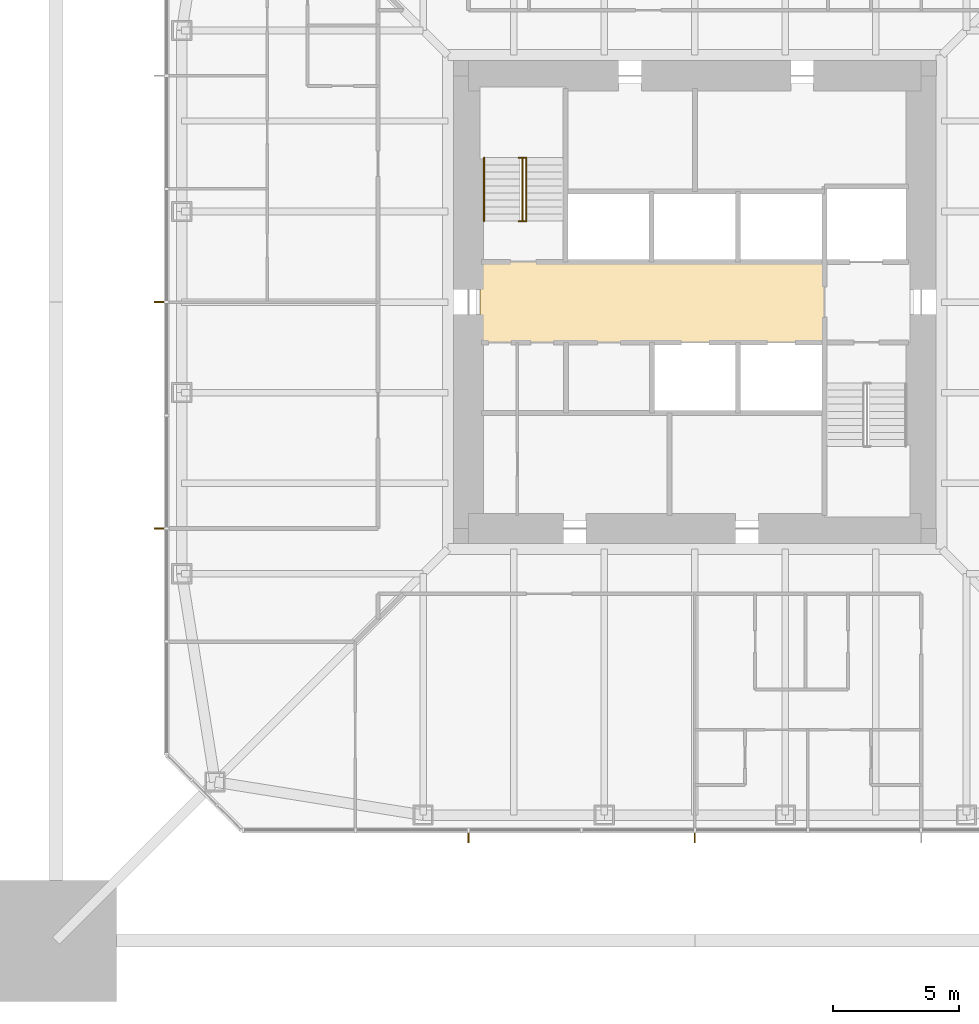
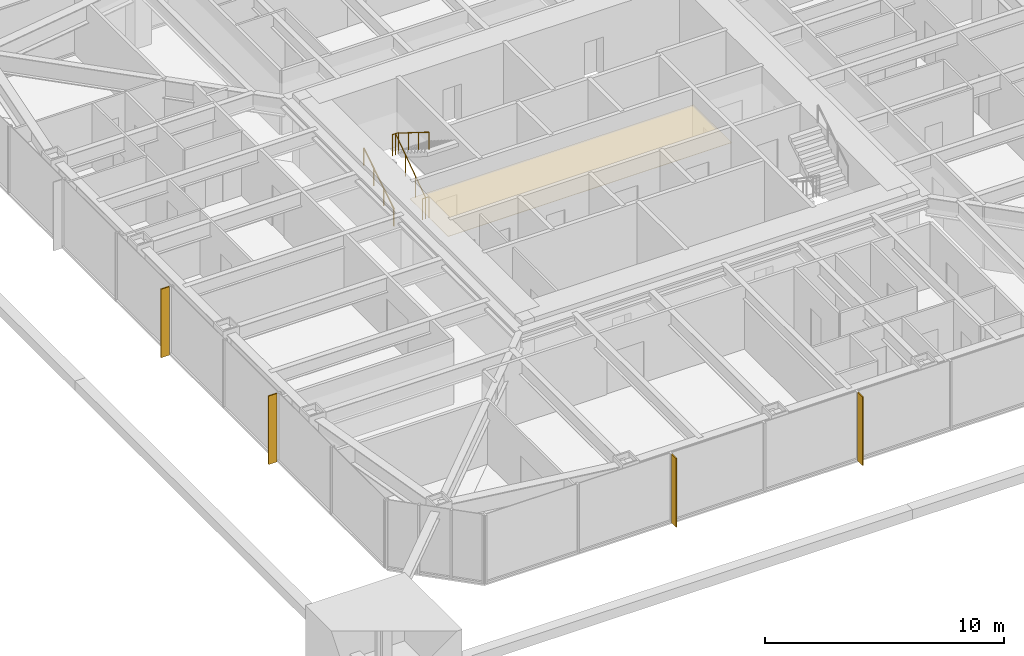
# One storey, part 22 of 26: 4 shading devices, 3 railings, 1 covering.
"""IFC4 building model written with IfcOpenShell, lengths in metres."""

from ifc_helpers import new_model, si_unit, direction, frame, origin, origin_2d, place, context, subcontext, project, spatial, polyline, rectangle, circle, outline, extrude, material, layer, layer_set, constituent, constituent_set, type_object, element, save


model = new_model("IFC4")

# Units and contexts
model_context = context("Model", 3, precision=1e-05, world=origin(), true_north=direction((0.0, 1.0)))
body_context = subcontext(model_context, "Body", "Model", "MODEL_VIEW")
ifc_project = project(units=[si_unit("LENGTHUNIT", "METRE"), si_unit("AREAUNIT", "SQUARE_METRE"), si_unit("VOLUMEUNIT", "CUBIC_METRE"), si_unit("PLANEANGLEUNIT", "RADIAN"), si_unit("MASSUNIT", "GRAM", prefix="KILO")], contexts=[model_context])

# Site, building, storey
site_placement = place(None, origin())
site = spatial("IfcSite", under=ifc_project, at=site_placement, CompositionType="ELEMENT")
building_placement = place(site_placement, origin())
building = spatial("IfcBuilding", under=site, at=building_placement, Name="Iwan Alto Co-Living Towers", CompositionType="ELEMENT")
storey_placement = place(building_placement, frame((0.0, 0.0, 126.0)))
storey = spatial("IfcBuildingStorey", under=building, at=storey_placement, Name="L34", CompositionType="ELEMENT", Elevation=126.0)

# Covering
ifc_material_1 = material(Name="Mineral fibre acoustic tiles on steel grid", Category="steel")
ifc_layer_1 = layer(ifc_material_1, 0.02001953125)
ifc_layer_set_1 = layer_set([ifc_layer_1], Name="ACOUSTIC TILE CEILING 20")
covering_type = type_object("IfcCoveringType", Name="ACOUSTIC TILE CEILING 20", PredefinedType="CEILING", material=ifc_layer_set_1)
covering_placement = place(storey_placement, frame((0.0, 0.0, 2.60009765625)))
element("IfcCovering", 1, at=covering_placement, inside=storey, type_object=covering_type, Name="Ceiling Lift lobby L34", PredefinedType="CEILING", context=body_context, shape_type="SweptSolid", body=[
    extrude(outline(polyline([(-8.550048828125, -1.60009765625), (-8.550048828125, 1.60009765625), (5.14990234375, 1.60009765625), (5.14990234375, -1.60009765625), (-8.550048828125, -1.60009765625)])), origin(), (0.0, 0.0, 1.0), 0.02001953125),
])

# Shading devices
ifc_material_2 = material(Name="Aluminium 6063-T6 bronze anodised", Category="aluminium")
ifc_layer_2 = layer(ifc_material_2, 0.050048828125)
ifc_layer_set_2 = layer_set([ifc_layer_2], Name="BRONZE FIN 50X400")
shading_device_type = type_object("IfcShadingDeviceType", Name="BRONZE FIN 50X400", PredefinedType="USERDEFINED", material=ifc_layer_set_2)
for number, where, z_axis, x_axis, name in (
    (2, (-9.0, -21.300048828125, 0.0), (0.0, 0.0, 1.0), (1.0, 0.0, 0.0), "Bronze fin L34"),
    (3, (0.0, -21.300048828125, 0.0), (0.0, 0.0, 1.0), (1.0, 0.0, 0.0), "Bronze fin L34"),
    (4, (-21.300048828125, 0.0, 0.0), (0.0, 0.0, 1.0), (0.0, -1.0, 0.0), "Bronze fin L34"),
    (5, (-21.300048828125, -9.0, 0.0), (0.0, 0.0, 1.0), (0.0, -1.0, 0.0), "Bronze fin L34"),
):
    element("IfcShadingDevice", number, at=place(storey_placement, frame(where, z_axis=z_axis, x_axis=x_axis)), inside=storey, type_object=shading_device_type, Name=name, ObjectType="LOUVER", PredefinedType="USERDEFINED", context=body_context, shape_type="SweptSolid", body=[
        extrude(rectangle(XDim=0.050048828125, YDim=0.39990234375, at=origin_2d()), origin(), (0.0, 0.0, 1.0), 3.5),
    ])

# Railings
ifc_material_3 = material(Name="Steel ASTM A500 Gr C", Category="steel")
ifc_constituent_1 = constituent(ifc_material_3, Name="Rails and posts", Category="Framing")
ifc_material_4 = material(Name="Steel ASTM A36", Category="steel")
ifc_constituent_2 = constituent(ifc_material_4, Name="Bar infill", Category="Infill")
ifc_constituent_set = constituent_set(constituents=[ifc_constituent_1, ifc_constituent_2], Name="STAIR GUARD 1100")
railing_type_1 = type_object("IfcRailingType", Name="STAIR GUARD 1100", PredefinedType="GUARDRAIL", material=ifc_constituent_set)
railing_1_placement = place(storey_placement, frame((-6.85009765625, 3.219970703125, 0.0)))
element("IfcRailing", 6, at=railing_1_placement, inside=storey, type_object=railing_type_1, Name="Stair T1-S1 well guard L34", PredefinedType="GUARDRAIL", context=body_context, shape_type="SweptSolid", body=[
    extrude(circle(Radius=0.02392578125, at=origin_2d()), frame((0.0, 0.0, 1.076171875), z_axis=(0.0, 0.821372036852, 0.570392826987), x_axis=(-1.0, 0.0, 0.0)), (0.0, 0.0, 1.0), 3.068115234375),
    extrude(circle(Radius=0.02392578125, at=origin_2d()), frame((-0.14990234375, 0.0, 1.076171875), z_axis=(1.0, 0.0, 0.0), x_axis=(0.0, 1.0, 0.0)), (0.0, 0.0, 1.0), 0.300048828125),
    extrude(circle(Radius=0.02392578125, at=origin_2d()), frame((-0.14990234375, 2.52001953125, 2.826171875), z_axis=(1.0, 0.0, 0.0), x_axis=(0.0, 1.0, 0.0)), (0.0, 0.0, 1.0), 0.300048828125),
    extrude(circle(Radius=0.02099609375, at=origin_2d()), origin(), (0.0, 0.0, 1.0), 1.052001953125),
    extrude(circle(Radius=0.02099609375, at=origin_2d()), frame((0.0, 0.840087890625, 0.583251953125)), (0.0, 0.0, 1.0), 1.052001953125),
    extrude(circle(Radius=0.02099609375, at=origin_2d()), frame((0.0, 1.679931640625, 1.166748046875)), (0.0, 0.0, 1.0), 1.052001953125),
    extrude(circle(Radius=0.02099609375, at=origin_2d()), frame((0.0, 2.52001953125, 1.75)), (0.0, 0.0, 1.0), 1.052001953125),
    extrude(circle(Radius=0.02099609375, at=origin_2d()), frame((-0.14990234375, 0.0, 0.0)), (0.0, 0.0, 1.0), 1.052001953125),
    extrude(circle(Radius=0.02099609375, at=origin_2d()), frame((0.150146484375, 0.0, 0.0)), (0.0, 0.0, 1.0), 1.052001953125),
    extrude(circle(Radius=0.02099609375, at=origin_2d()), frame((-0.14990234375, 2.52001953125, 1.75)), (0.0, 0.0, 1.0), 1.052001953125),
    extrude(circle(Radius=0.02099609375, at=origin_2d()), frame((0.150146484375, 2.52001953125, 1.75)), (0.0, 0.0, 1.0), 1.052001953125),
])
ifc_material_5 = material(Name="Steel ASTM A500 Gr C", Category="steel")
railing_type_2 = type_object("IfcRailingType", Name="STAIR HANDRAIL 900", PredefinedType="HANDRAIL", material=ifc_material_5)
railing_2_placement = place(storey_placement, frame((-8.3798828125, 3.219970703125, 0.175048828125)))
element("IfcRailing", 7, at=railing_2_placement, inside=storey, type_object=railing_type_2, Name="Stair T1-S1 handrail 1 L34", PredefinedType="HANDRAIL", context=body_context, shape_type="SweptSolid", body=[
    extrude(circle(Radius=0.02392578125, at=origin_2d()), frame((0.0, 0.0, 0.8759765625), z_axis=(0.0, 0.848007534815, 0.529984170421), x_axis=(-1.0, 0.0, 0.0)), (0.0, 0.0, 1.0), 2.9716796875),
    extrude(circle(Radius=0.02099609375, at=origin_2d()), origin(), (0.0, 0.0, 1.0), 0.851806640625),
    extrude(circle(Radius=0.02099609375, at=origin_2d()), frame((0.0, 0.840087890625, 0.52490234375)), (0.0, 0.0, 1.0), 0.851806640625),
    extrude(circle(Radius=0.02099609375, at=origin_2d()), frame((0.0, 1.679931640625, 1.050048828125)), (0.0, 0.0, 1.0), 0.851806640625),
    extrude(circle(Radius=0.02099609375, at=origin_2d()), frame((0.0, 2.52001953125, 1.574951171875)), (0.0, 0.0, 1.0), 0.851806640625),
])
railing_3_placement = place(storey_placement, frame((-6.699951171875, 5.739990234375, 1.925048828125)))
element("IfcRailing", 8, at=railing_3_placement, inside=storey, type_object=railing_type_2, Name="Stair T1-S1 handrail 2 L34", PredefinedType="HANDRAIL", context=body_context, shape_type="SweptSolid", body=[
    extrude(circle(Radius=0.02392578125, at=origin_2d()), frame((0.0, 0.0, 0.8759765625), z_axis=(0.0, -0.848007534815, 0.529984170421), x_axis=(1.0, 0.0, 0.0)), (0.0, 0.0, 1.0), 2.9716796875),
    extrude(circle(Radius=0.02099609375, at=origin_2d()), origin(), (0.0, 0.0, 1.0), 0.851806640625),
    extrude(circle(Radius=0.02099609375, at=origin_2d()), frame((0.0, -0.840087890625, 0.52490234375)), (0.0, 0.0, 1.0), 0.851806640625),
    extrude(circle(Radius=0.02099609375, at=origin_2d()), frame((0.0, -1.679931640625, 1.050048828125)), (0.0, 0.0, 1.0), 0.851806640625),
    extrude(circle(Radius=0.02099609375, at=origin_2d()), frame((0.0, -2.52001953125, 1.574951171875)), (0.0, 0.0, 1.0), 0.851806640625),
])

save(model, "model.ifc")
